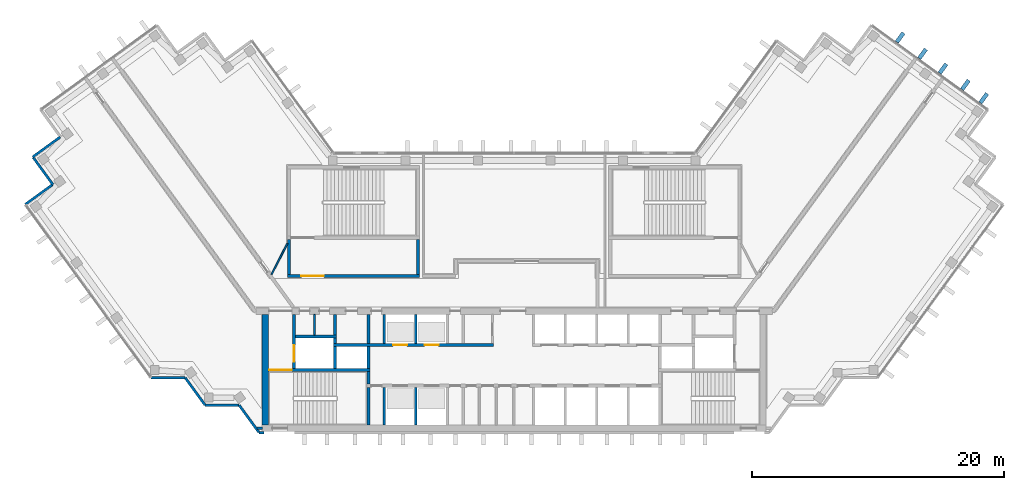
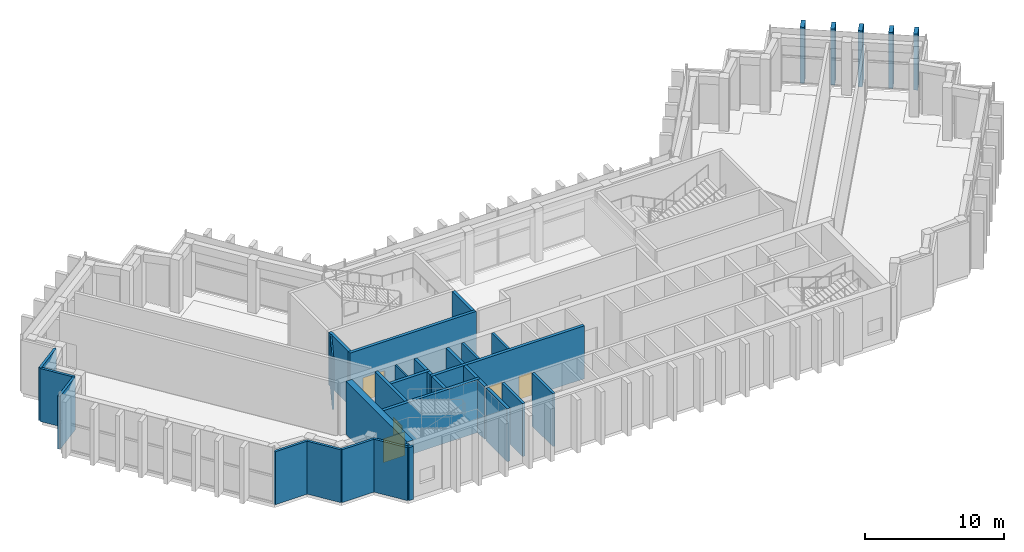
# One storey, part 7 of 14: 30 walls, 5 doors, 5 plates, 5 openings.
"""IFC4 building model written with IfcOpenShell, lengths in metres."""

from ifc_helpers import new_model, si_unit, direction, frame, frame_2d, origin, origin_2d, place, context, subcontext, project, spatial, rectangle, extrude, material, layer, layer_set, type_object, element, fill, save


model = new_model("IFC4")

# Units and contexts
model_context = context("Model", 3, precision=1e-05, world=origin(), true_north=direction((0.0, 1.0)))
body_context = subcontext(model_context, "Body", "Model", "MODEL_VIEW")
ifc_project = project(units=[si_unit("LENGTHUNIT", "METRE"), si_unit("AREAUNIT", "SQUARE_METRE"), si_unit("VOLUMEUNIT", "CUBIC_METRE"), si_unit("PLANEANGLEUNIT", "RADIAN"), si_unit("MASSUNIT", "GRAM", prefix="KILO")], contexts=[model_context])

# Site, building, storey
site_placement = place(None, origin())
site = spatial("IfcSite", under=ifc_project, at=site_placement, CompositionType="ELEMENT")
building_placement = place(site_placement, origin())
building = spatial("IfcBuilding", under=site, at=building_placement, Name="Quipu Civic Tower", CompositionType="ELEMENT")
storey_placement = place(building_placement, frame((0.0, 0.0, 248.0)))
storey = spatial("IfcBuildingStorey", under=building, at=storey_placement, Name="L58", CompositionType="ELEMENT", Elevation=248.0)

# Plates
ifc_material_1 = material(Name="Precast concrete C40/50", Category="concrete")
plate_type = type_object("IfcPlateType", Name="Precast fin F3", PredefinedType="SHEET", material=ifc_material_1)
for number, where, z_axis, x_axis, name in (
    (1, (37.26953125, 15.449951171875, 0.0751953125), (0.0, 0.0, 1.0), (-0.809017072762, 0.587785144401, 0.0), "Precast fin F3 L58.28.1"),
    (2, (35.813232421875, 16.508056640625, 0.0751953125), (0.0, 0.0, 1.0), (-0.809017072762, 0.587785144401, 0.0), "Precast fin F3 L58.28.2"),
    (3, (34.033447265625, 17.801025390625, 0.0751953125), (0.0, 0.0, 1.0), (-0.809017072762, 0.587785144401, 0.0), "Precast fin F3 L58.28.3"),
    (4, (32.415283203125, 18.976806640625, 0.0751953125), (0.0, 0.0, 1.0), (-0.809017072762, 0.587785144401, 0.0), "Precast fin F3 L58.28.4"),
    (5, (30.635498046875, 20.269775390625, 0.0751953125), (0.0, 0.0, 1.0), (-0.809017072762, 0.587785144401, 0.0), "Precast fin F3 L58.28.5"),
):
    element("IfcPlate", number, at=place(storey_placement, frame(where, z_axis=z_axis, x_axis=x_axis)), inside=storey, type_object=plate_type, Name=name, PredefinedType="SHEET", context=body_context, shape_type="SweptSolid", body=[
        extrude(rectangle(XDim=0.320068359375, YDim=0.89990234375, at=origin_2d()), origin(), (0.0, 0.0, 1.0), 4.925048828125),
    ])

# Walls
ifc_material_2 = material(Name="Concrete C70/85", Category="concrete")
ifc_layer_1 = layer(ifc_material_2, 0.25)
ifc_layer_set_1 = layer_set([ifc_layer_1], Name="Concrete C70/85")
wall_type_1 = type_object("IfcWallType", Name="Core wall 250", PredefinedType="SHEAR", material=ifc_layer_set_1)
wall_1_placement = place(storey_placement, frame((-11.574951171875, -10.5, 0.0), z_axis=(0.0, 0.0, 1.0), x_axis=(0.0, 1.0, 0.0)))
element("IfcWall", 6, at=wall_1_placement, inside=storey, type_object=wall_type_1, Name="Core wall", PredefinedType="SHEAR", context=body_context, shape_type="SweptSolid", body=[
    extrude(rectangle(XDim=3.0, YDim=0.25, at=frame_2d((1.5, 0.0))), origin(), (0.0, 0.0, 1.0), 4.64990234375),
])
wall_2_placement = place(storey_placement, frame((-11.574951171875, -7.25, 0.0), z_axis=(0.0, 0.0, 1.0), x_axis=(0.0, 1.0, 0.0)))
element("IfcWall", 7, at=wall_2_placement, inside=storey, type_object=wall_type_1, Name="Core wall", PredefinedType="SHEAR", context=body_context, shape_type="SweptSolid", body=[
    extrude(rectangle(XDim=1.0, YDim=0.25, at=frame_2d((0.5, 0.0))), origin(), (0.0, 0.0, 1.0), 4.64990234375),
])

# Wall, opening, door
wall_3_placement = place(storey_placement, frame((-11.449951171875, -6.125, 0.0), z_axis=(0.0, 0.0, 1.0), x_axis=(-1.0, 0.0, 0.0)))
wall_3 = element("IfcWall", 8, at=wall_3_placement, inside=storey, type_object=wall_type_1, Name="Core wall", PredefinedType="SHEAR", context=body_context, shape_type="SweptSolid", body=[
    extrude(rectangle(XDim=8.050048828125, YDim=0.25, at=frame_2d((4.02490234375, 0.0))), origin(), (0.0, 0.0, 1.0), 4.64990234375),
])
opening_1_placement = place(wall_3_placement, frame((6.199951171875, 0.0, 0.0)))
opening_1 = element("IfcOpeningElement", 9, at=opening_1_placement, cuts=wall_3, Name="Opening CD-07", PredefinedType="OPENING", context=body_context, shape_type="SweptSolid", body=[
    extrude(rectangle(XDim=1.800048828125, YDim=2.10009765625, at=frame_2d((0.89990234375, 1.050048828125))), frame((0.0, 0.135009765625, 0.0), z_axis=(0.0, -1.0, 0.0), x_axis=(1.0, 0.0, 0.0)), (0.0, 0.0, 1.0), 0.27001953125),
])
ifc_material_3 = material(Name="Fire rated steel door", Category="steel")
door_type_1 = type_object("IfcDoorType", Name="Fire door FD90 double 1800 x 2100", OperationType="NOTDEFINED", PredefinedType="DOOR", material=ifc_material_3)
door_1_placement = place(opening_1_placement, origin())
door_1 = element("IfcDoor", 10, at=door_1_placement, inside=storey, type_object=door_type_1, Name="Door", OperationType="DOUBLE_DOOR_SINGLE_SWING", OverallHeight=2.10009765625, OverallWidth=1.800048828125, PredefinedType="DOOR", context=body_context, shape_type="SweptSolid", body=[
    extrude(rectangle(XDim=1.800048828125, YDim=2.10009765625, at=frame_2d((0.89990234375, 1.050048828125))), frame((0.0, 0.02490234375, 0.0), z_axis=(0.0, -1.0, 0.0), x_axis=(1.0, 0.0, 0.0)), (0.0, 0.0, 1.0), 0.050048828125),
])
fill(opening_1, door_1)

wall_4_placement = place(storey_placement, frame((-17.47509765625, -6.0, 0.0), z_axis=(0.0, 0.0, 1.0), x_axis=(0.0, 1.0, 0.0)))
wall_4 = element("IfcWall", 11, at=wall_4_placement, inside=storey, type_object=wall_type_1, Name="Core wall", PredefinedType="SHEAR", context=body_context, shape_type="SweptSolid", body=[
    extrude(rectangle(XDim=4.300048828125, YDim=0.25, at=frame_2d((2.14990234375, 0.0))), origin(), (0.0, 0.0, 1.0), 4.64990234375),
])
opening_2_placement = place(wall_4_placement, frame((0.550048828125, 0.0, 0.0)))
opening_2 = element("IfcOpeningElement", 12, at=opening_2_placement, cuts=wall_4, Name="Opening LD-FF1", PredefinedType="OPENING", context=body_context, shape_type="SweptSolid", body=[
    extrude(rectangle(XDim=1.300048828125, YDim=2.10009765625, at=frame_2d((0.64990234375, 1.050048828125))), frame((0.0, 0.135009765625, 0.0), z_axis=(0.0, -1.0, 0.0), x_axis=(1.0, 0.0, 0.0)), (0.0, 0.0, 1.0), 0.27001953125),
])
ifc_material_4 = material(Name="Stainless steel", Category="steel")
door_type_2 = type_object("IfcDoorType", Name="Lift landing door 1300 x 2100", OperationType="DOUBLE_DOOR_SLIDING", PredefinedType="DOOR", material=ifc_material_4)
door_2_placement = place(opening_2_placement, origin())
door_2 = element("IfcDoor", 13, at=door_2_placement, inside=storey, type_object=door_type_2, Name="Landing door FF1", OperationType="DOUBLE_DOOR_SLIDING", OverallHeight=2.10009765625, OverallWidth=1.300048828125, PredefinedType="DOOR", context=body_context, shape_type="SweptSolid", body=[
    extrude(rectangle(XDim=1.300048828125, YDim=2.10009765625, at=frame_2d((0.64990234375, 1.050048828125))), frame((0.0, 0.02490234375, 0.0), z_axis=(0.0, -1.0, 0.0), x_axis=(1.0, 0.0, 0.0)), (0.0, 0.0, 1.0), 0.050048828125),
])
fill(opening_2, door_2)

# Walls
for number, where, z_axis, x_axis, name in (
    (14, (-14.22509765625, -6.0, 0.0), (0.0, 0.0, 1.0), (0.0, 1.0, 0.0), "Core wall"),
    (15, (-11.574951171875, -6.0, 0.0), (0.0, 0.0, 1.0), (0.0, 1.0, 0.0), "Core wall"),
):
    element("IfcWall", number, at=place(storey_placement, frame(where, z_axis=z_axis, x_axis=x_axis)), inside=storey, type_object=wall_type_1, Name=name, PredefinedType="SHEAR", context=body_context, shape_type="SweptSolid", body=[
        extrude(rectangle(XDim=1.75, YDim=0.25, at=frame_2d((0.875, 0.0))), origin(), (0.0, 0.0, 1.0), 4.64990234375),
    ])

# Wall, openings, doors
wall_5_placement = place(storey_placement, frame((-14.35009765625, -4.125, 0.0), z_axis=(0.0, 0.0, 1.0), x_axis=(1.0, 0.0, 0.0)))
wall_5 = element("IfcWall", 16, at=wall_5_placement, inside=storey, type_object=wall_type_1, Name="Core wall", PredefinedType="SHEAR", context=body_context, shape_type="SweptSolid", body=[
    extrude(rectangle(XDim=12.7001953125, YDim=0.25, at=frame_2d((6.35009765625, 0.0))), origin(), (0.0, 0.0, 1.0), 4.64990234375),
])
opening_3_placement = place(wall_5_placement, frame((4.75, 0.0, 0.0)))
opening_3 = element("IfcOpeningElement", 17, at=opening_3_placement, cuts=wall_5, Name="Opening LD-HL3", PredefinedType="OPENING", context=body_context, shape_type="SweptSolid", body=[
    extrude(rectangle(XDim=1.10009765625, YDim=2.10009765625, at=frame_2d((0.550048828125, 1.050048828125))), frame((0.0, 0.135009765625, 0.0), z_axis=(0.0, -1.0, 0.0), x_axis=(1.0, 0.0, 0.0)), (0.0, 0.0, 1.0), 0.27001953125),
])
opening_4_placement = place(wall_5_placement, frame((7.25, 0.0, 0.0)))
opening_4 = element("IfcOpeningElement", 18, at=opening_4_placement, cuts=wall_5, Name="Opening LD-HL4", PredefinedType="OPENING", context=body_context, shape_type="SweptSolid", body=[
    extrude(rectangle(XDim=1.10009765625, YDim=2.10009765625, at=frame_2d((0.550048828125, 1.050048828125))), frame((0.0, 0.135009765625, 0.0), z_axis=(0.0, -1.0, 0.0), x_axis=(1.0, 0.0, 0.0)), (0.0, 0.0, 1.0), 0.27001953125),
])
ifc_material_5 = material(Name="Stainless steel", Category="steel")
door_type_3 = type_object("IfcDoorType", Name="Lift landing door 1100 x 2100", OperationType="DOUBLE_DOOR_SLIDING", PredefinedType="DOOR", material=ifc_material_5)
door_3_placement = place(opening_3_placement, origin())
door_3 = element("IfcDoor", 19, at=door_3_placement, inside=storey, type_object=door_type_3, Name="Landing door HL3", OperationType="DOUBLE_DOOR_SLIDING", OverallHeight=2.10009765625, OverallWidth=1.10009765625, PredefinedType="DOOR", context=body_context, shape_type="SweptSolid", body=[
    extrude(rectangle(XDim=1.10009765625, YDim=2.10009765625, at=frame_2d((0.550048828125, 1.050048828125))), frame((0.0, 0.02490234375, 0.0), z_axis=(0.0, -1.0, 0.0), x_axis=(1.0, 0.0, 0.0)), (0.0, 0.0, 1.0), 0.050048828125),
])
fill(opening_3, door_3)
door_4_placement = place(opening_4_placement, origin())
door_4 = element("IfcDoor", 20, at=door_4_placement, inside=storey, type_object=door_type_3, Name="Landing door HL4", OperationType="DOUBLE_DOOR_SLIDING", OverallHeight=2.10009765625, OverallWidth=1.10009765625, PredefinedType="DOOR", context=body_context, shape_type="SweptSolid", body=[
    extrude(rectangle(XDim=1.10009765625, YDim=2.10009765625, at=frame_2d((0.550048828125, 1.050048828125))), frame((0.0, 0.02490234375, 0.0), z_axis=(0.0, -1.0, 0.0), x_axis=(1.0, 0.0, 0.0)), (0.0, 0.0, 1.0), 0.050048828125),
])
fill(opening_4, door_4)

# Walls
wall_6_placement = place(storey_placement, frame((-14.22509765625, -4.0, 0.0), z_axis=(0.0, 0.0, 1.0), x_axis=(0.0, 1.0, 0.0)))
element("IfcWall", 21, at=wall_6_placement, inside=storey, type_object=wall_type_1, Name="Core wall", PredefinedType="SHEAR", context=body_context, shape_type="SweptSolid", body=[
    extrude(rectangle(XDim=0.39990234375, YDim=0.25, at=frame_2d((0.199951171875, 0.0))), origin(), (0.0, 0.0, 1.0), 4.64990234375),
])
wall_7_placement = place(storey_placement, frame((-11.574951171875, -4.0, 0.0), z_axis=(0.0, 0.0, 1.0), x_axis=(0.0, 1.0, 0.0)))
element("IfcWall", 22, at=wall_7_placement, inside=storey, type_object=wall_type_1, Name="Core wall", PredefinedType="SHEAR", context=body_context, shape_type="SweptSolid", body=[
    extrude(rectangle(XDim=2.300048828125, YDim=0.25, at=frame_2d((1.14990234375, 0.0))), origin(), (0.0, 0.0, 1.0), 4.64990234375),
])
wall_8_placement = place(storey_placement, frame((-17.35009765625, -3.47509765625, 0.0), z_axis=(0.0, 0.0, 1.0), x_axis=(1.0, 0.0, 0.0)))
element("IfcWall", 23, at=wall_8_placement, inside=storey, type_object=wall_type_1, Name="Core wall", PredefinedType="SHEAR", context=body_context, shape_type="SweptSolid", body=[
    extrude(rectangle(XDim=3.25, YDim=0.25, at=frame_2d((1.625, 0.0))), origin(), (0.0, 0.0, 1.0), 4.64990234375),
])
wall_9_placement = place(storey_placement, frame((-14.22509765625, -3.35009765625, 0.0), z_axis=(0.0, 0.0, 1.0), x_axis=(0.0, 1.0, 0.0)))
element("IfcWall", 24, at=wall_9_placement, inside=storey, type_object=wall_type_1, Name="Core wall", PredefinedType="SHEAR", context=body_context, shape_type="SweptSolid", body=[
    extrude(rectangle(XDim=1.650146484375, YDim=0.25, at=frame_2d((0.8251953125, 0.0))), origin(), (0.0, 0.0, 1.0), 4.64990234375),
])

# Wall, opening, door
wall_10_placement = place(storey_placement, frame((-18.0, 1.324951171875, 0.0), z_axis=(0.0, 0.0, 1.0), x_axis=(1.0, 0.0, 0.0)))
wall_10 = element("IfcWall", 25, at=wall_10_placement, inside=storey, type_object=wall_type_1, Name="Core wall", PredefinedType="SHEAR", context=body_context, shape_type="SweptSolid", body=[
    extrude(rectangle(XDim=10.5, YDim=0.25, at=frame_2d((5.25, 0.0))), origin(), (0.0, 0.0, 1.0), 4.64990234375),
])
opening_5_placement = place(wall_10_placement, frame((1.10009765625, 0.0, 0.0)))
opening_5 = element("IfcOpeningElement", 26, at=opening_5_placement, cuts=wall_10, Name="Opening CD-20", PredefinedType="OPENING", context=body_context, shape_type="SweptSolid", body=[
    extrude(rectangle(XDim=1.800048828125, YDim=2.10009765625, at=frame_2d((0.89990234375, 1.050048828125))), frame((0.0, 0.135009765625, 0.0), z_axis=(0.0, -1.0, 0.0), x_axis=(1.0, 0.0, 0.0)), (0.0, 0.0, 1.0), 0.27001953125),
])
door_5_placement = place(opening_5_placement, origin())
door_5 = element("IfcDoor", 27, at=door_5_placement, inside=storey, type_object=door_type_1, Name="Lobby door", OperationType="DOUBLE_DOOR_SINGLE_SWING", OverallHeight=2.10009765625, OverallWidth=1.800048828125, PredefinedType="DOOR", context=body_context, shape_type="SweptSolid", body=[
    extrude(rectangle(XDim=1.800048828125, YDim=2.10009765625, at=frame_2d((0.89990234375, 1.050048828125))), frame((0.0, 0.02490234375, 0.0), z_axis=(0.0, -1.0, 0.0), x_axis=(1.0, 0.0, 0.0)), (0.0, 0.0, 1.0), 0.050048828125),
])
fill(opening_5, door_5)

# Walls
for number, where, z_axis, x_axis, name in (
    (28, (-17.875, 1.449951171875, 0.0), (0.0, 0.0, 1.0), (0.0, 1.0, 0.0), "Core wall"),
    (29, (-7.625, 1.449951171875, 0.0), (0.0, 0.0, 1.0), (0.0, 1.0, 0.0), "Core wall"),
):
    element("IfcWall", number, at=place(storey_placement, frame(where, z_axis=z_axis, x_axis=x_axis)), inside=storey, type_object=wall_type_1, Name=name, PredefinedType="SHEAR", context=body_context, shape_type="SweptSolid", body=[
        extrude(rectangle(XDim=2.800048828125, YDim=0.25, at=frame_2d((1.39990234375, 0.0))), origin(), (0.0, 0.0, 1.0), 4.64990234375),
    ])
ifc_material_6 = material(Name="Concrete C70/85", Category="concrete")
ifc_layer_2 = layer(ifc_material_6, 0.5)
ifc_layer_set_2 = layer_set([ifc_layer_2], Name="Concrete C70/85")
wall_type_2 = type_object("IfcWallType", Name="Core wall 500", PredefinedType="SHEAR", material=ifc_layer_set_2)
wall_11_placement = place(storey_placement, frame((-19.75, -10.5, 0.0), z_axis=(0.0, 0.0, 1.0), x_axis=(0.0, 1.0, 0.0)))
element("IfcWall", 30, at=wall_11_placement, inside=storey, type_object=wall_type_2, Name="Core wall", PredefinedType="SHEAR", context=body_context, shape_type="SweptSolid", body=[
    extrude(rectangle(XDim=8.800048828125, YDim=0.5, at=frame_2d((4.39990234375, 0.0))), origin(), (0.0, 0.0, 1.0), 4.64990234375),
])
ifc_material_7 = material(Name="Gypsum plasterboard on light gauge framing")
ifc_layer_3 = layer(ifc_material_7, 0.1201171875)
ifc_layer_set_3 = layer_set([ifc_layer_3], Name="Gypsum plasterboard on light gauge framing")
wall_type_3 = type_object("IfcWallType", Name="Partition 120 plasterboard", PredefinedType="PARTITIONING", material=ifc_layer_set_3)
wall_12_placement = place(storey_placement, frame((-19.260986328125, 1.449951171875, 0.0), z_axis=(0.0, 0.0, 1.0), x_axis=(0.453950796792, 0.891026752736, 0.0)))
element("IfcWall", 31, at=wall_12_placement, inside=storey, type_object=wall_type_3, Name="Partition P02", PredefinedType="PARTITIONING", context=body_context, shape_type="SweptSolid", body=[
    extrude(rectangle(XDim=2.77783203125, YDim=0.1201171875, at=frame_2d((1.388916015625, 0.0))), origin(), (0.0, 0.0, 1.0), 4.64990234375),
])
ifc_material_8 = material(Name="Gypsum board partition")
ifc_layer_4 = layer(ifc_material_8, 0.14990234375)
ifc_layer_set_4 = layer_set([ifc_layer_4], Name="Gypsum board partition")
wall_type_4 = type_object("IfcWallType", Name="Partition 150", PredefinedType="PARTITIONING", material=ifc_layer_set_4)
wall_13_placement = place(storey_placement, frame((-15.85009765625, -3.35009765625, 0.0), z_axis=(0.0, 0.0, 1.0), x_axis=(0.0, 1.0, 0.0)))
element("IfcWall", 32, at=wall_13_placement, inside=storey, type_object=wall_type_4, Name="Partition", PredefinedType="PARTITIONING", context=body_context, shape_type="SweptSolid", body=[
    extrude(rectangle(XDim=1.650146484375, YDim=0.14990234375, at=frame_2d((0.8251953125, 0.0))), origin(), (0.0, 0.0, 1.0), 4.64990234375),
])
ifc_material_9 = material(Name="Precast concrete C40/50", Category="concrete")
wall_type_5 = type_object("IfcWallType", Name="Precast cladding wall", PredefinedType="SOLIDWALL", material=ifc_material_9)
for number, where, z_axis, x_axis, name in (
    (33, (-36.031982421875, 12.36865234375, 0.0), (0.0, 0.0, 1.0), (-0.809033161865, -0.587762999008, 0.0), "Precast cladding wall L58 8"),
    (34, (-38.189208984375, 10.7646484375, 0.0), (0.0, 0.0, 1.0), (0.587822180636, -0.808990163075, 0.0), "Precast cladding wall L58 9"),
    (35, (-36.62939453125, 8.597412109375, 0.0), (0.0, 0.0, 1.0), (-0.809033161865, -0.587762999008, 0.0), "Precast cladding wall L58 10"),
    (36, (-28.829833984375, -6.71923828125, 0.0), (0.0, 0.0, 1.0), (1.0, 0.0, 0.0), "Precast cladding wall L58 12"),
):
    element("IfcWall", number, at=place(storey_placement, frame(where, z_axis=z_axis, x_axis=x_axis)), inside=storey, type_object=wall_type_5, Name=name, PredefinedType="SOLIDWALL", context=body_context, shape_type="SweptSolid", body=[
        extrude(rectangle(XDim=2.699951171875, YDim=0.199951171875, at=frame_2d((1.35009765625, 0.0))), origin(), (0.0, 0.0, 1.0), 4.64990234375),
    ])
wall_14_placement = place(storey_placement, frame((-26.1201171875, -6.72412109375, 0.0), z_axis=(0.0, 0.0, 1.0), x_axis=(0.587720002413, -0.809064397168, 0.0)))
element("IfcWall", 37, at=wall_14_placement, inside=storey, type_object=wall_type_5, Name="Precast cladding wall L58 13", PredefinedType="SOLIDWALL", context=body_context, shape_type="SweptSolid", body=[
    extrude(rectangle(XDim=2.7001953125, YDim=0.199951171875, at=frame_2d((1.35009765625, 0.0))), origin(), (0.0, 0.0, 1.0), 4.64990234375),
])
wall_15_placement = place(storey_placement, frame((-24.542724609375, -8.90380859375, 0.0), z_axis=(0.0, 0.0, 1.0), x_axis=(1.0, 0.0, 0.0)))
element("IfcWall", 38, at=wall_15_placement, inside=storey, type_object=wall_type_5, Name="Precast cladding wall L58 14", PredefinedType="SOLIDWALL", context=body_context, shape_type="SweptSolid", body=[
    extrude(rectangle(XDim=2.699951171875, YDim=0.199951171875, at=frame_2d((1.35009765625, 0.0))), origin(), (0.0, 0.0, 1.0), 4.64990234375),
])
wall_16_placement = place(storey_placement, frame((-21.8330078125, -8.90869140625, 0.0), z_axis=(0.0, 0.0, 1.0), x_axis=(0.587766567315, -0.809030569476, 0.0)))
element("IfcWall", 39, at=wall_16_placement, inside=storey, type_object=wall_type_5, Name="Precast cladding wall L58 15", PredefinedType="SOLIDWALL", context=body_context, shape_type="SweptSolid", body=[
    extrude(rectangle(XDim=2.687744140625, YDim=0.199951171875, at=frame_2d((1.34375, 0.0))), origin(), (0.0, 0.0, 1.0), 4.64990234375),
])
wall_17_placement = place(storey_placement, frame((-20.255859375, -11.087890625, 0.0), z_axis=(0.0, 0.0, 1.0), x_axis=(1.0, 0.0, 0.0)))
element("IfcWall", 40, at=wall_17_placement, inside=storey, type_object=wall_type_5, Name="Precast cladding wall L58 16", PredefinedType="SOLIDWALL", context=body_context, shape_type="SweptSolid", body=[
    extrude(rectangle(XDim=0.40576171875, YDim=0.199951171875, at=frame_2d((0.202880859375, 0.0))), origin(), (0.0, 0.0, 1.0), 4.64990234375),
])
wall_18_placement = place(storey_placement, frame((-19.97998046875, -10.75, 0.0), z_axis=(0.0, 0.0, 1.0), x_axis=(-1.0, 0.0, 0.0)))
element("IfcWall", 41, at=wall_18_placement, inside=storey, type_object=wall_type_5, Name="Precast cladding return L58 W", PredefinedType="SOLIDWALL", context=body_context, shape_type="SweptSolid", body=[
    extrude(rectangle(XDim=0.41650390625, YDim=0.199951171875, at=frame_2d((0.208251953125, 0.0))), origin(), (0.0, 0.0, 1.0), 4.64990234375),
])
ifc_material_10 = material(Name="Concrete C40/50", Category="concrete")
ifc_layer_5 = layer(ifc_material_10, 0.199951171875)
ifc_layer_set_5 = layer_set([ifc_layer_5], Name="Concrete C40/50")
wall_type_6 = type_object("IfcWallType", Name="Shaft wall 200", PredefinedType="SOLIDWALL", material=ifc_layer_set_5)
for number, where, z_axis, x_axis, name in (
    (42, (-10.300048828125, -10.5, 0.0), (0.0, 0.0, 1.0), (0.0, 1.0, 0.0), "Shaft wall"),
    (43, (-7.800048828125, -10.5, 0.0), (0.0, 0.0, 1.0), (0.0, 1.0, 0.0), "Shaft wall"),
):
    element("IfcWall", number, at=place(storey_placement, frame(where, z_axis=z_axis, x_axis=x_axis)), inside=storey, type_object=wall_type_6, Name=name, PredefinedType="SOLIDWALL", context=body_context, shape_type="SweptSolid", body=[
        extrude(rectangle(XDim=3.0, YDim=0.199951171875, at=frame_2d((1.5, 0.0))), origin(), (0.0, 0.0, 1.0), 4.64990234375),
    ])
for number, where, z_axis, x_axis, name in (
    (44, (-10.300048828125, -4.0, 0.0), (0.0, 0.0, 1.0), (0.0, 1.0, 0.0), "Shaft wall"),
    (45, (-7.800048828125, -4.0, 0.0), (0.0, 0.0, 1.0), (0.0, 1.0, 0.0), "Shaft wall"),
):
    element("IfcWall", number, at=place(storey_placement, frame(where, z_axis=z_axis, x_axis=x_axis)), inside=storey, type_object=wall_type_6, Name=name, PredefinedType="SOLIDWALL", context=body_context, shape_type="SweptSolid", body=[
        extrude(rectangle(XDim=2.300048828125, YDim=0.199951171875, at=frame_2d((1.14990234375, 0.0))), origin(), (0.0, 0.0, 1.0), 4.64990234375),
    ])

save(model, "model.ifc")
